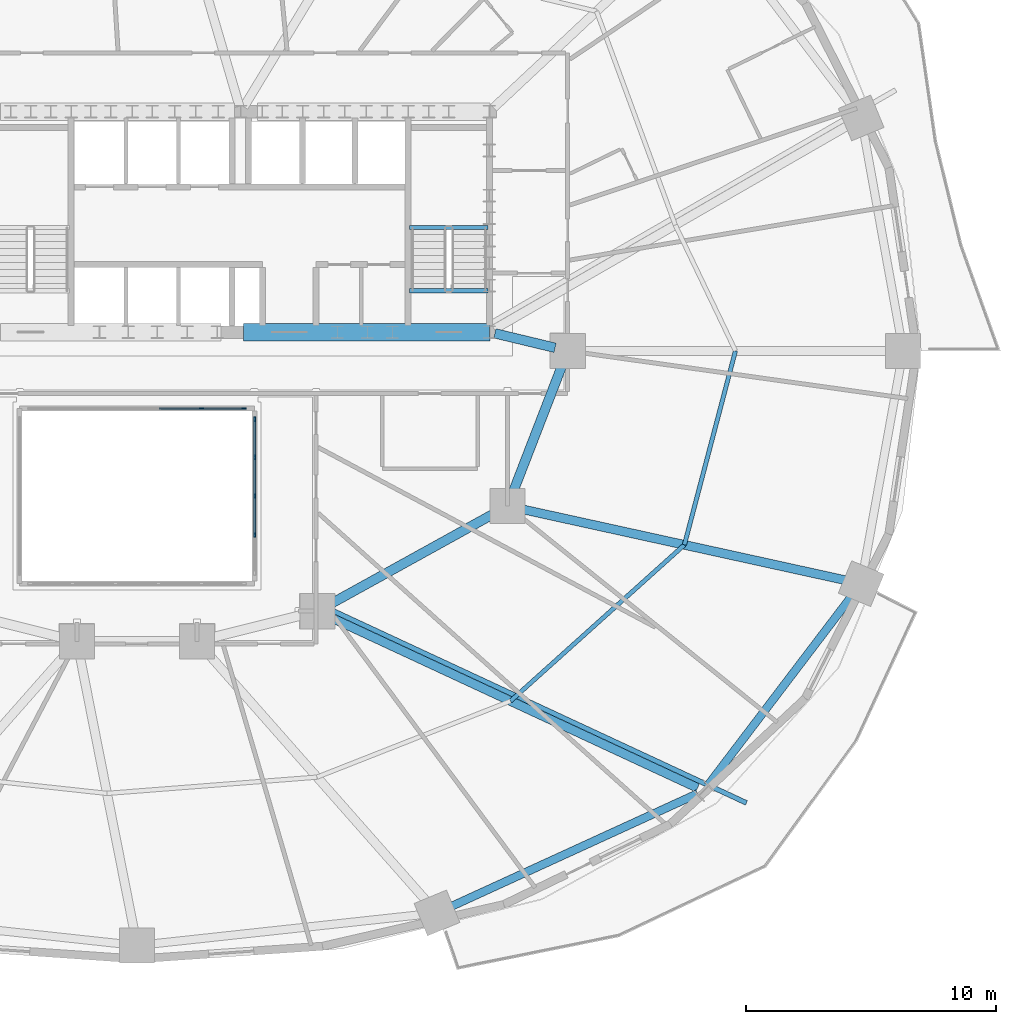
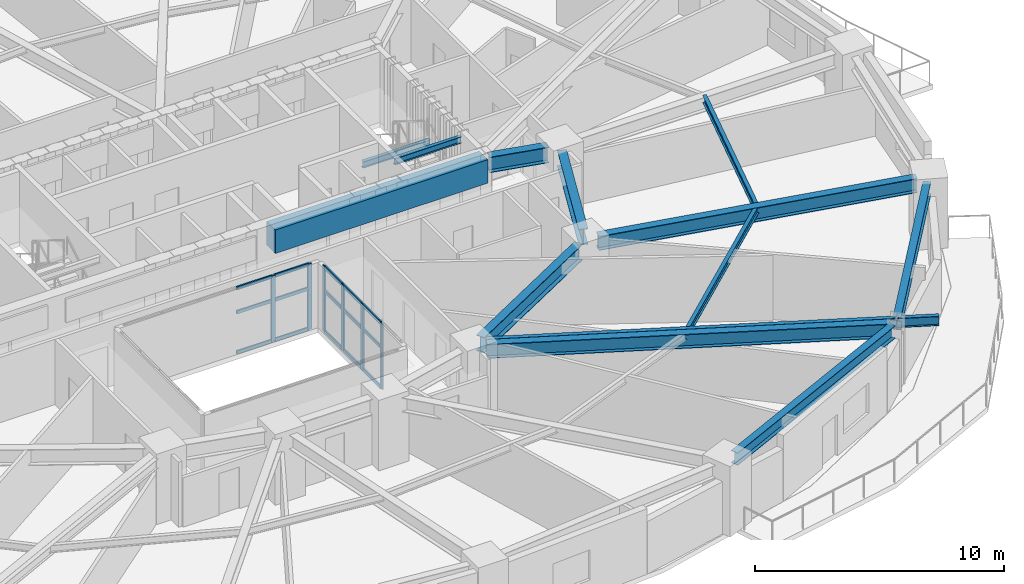
# One storey, part 6 of 17: 21 members, 13 beams, 2 elements without a shape of their own.
"""IFC4 building model written with IfcOpenShell, lengths in metres."""

from ifc_helpers import new_model, si_unit, direction, frame, origin, origin_2d, place, context, subcontext, project, spatial, rectangle, i_section, extrude, material, material_profile, profile_set, type_object, element, aggregate, save


model = new_model("IFC4")

# Units and contexts
model_context = context("Model", 3, precision=1e-05, world=origin(), true_north=direction((0.0, 1.0)))
body_context = subcontext(model_context, "Body", "Model", "MODEL_VIEW")
ifc_project = project(units=[si_unit("LENGTHUNIT", "METRE"), si_unit("AREAUNIT", "SQUARE_METRE"), si_unit("VOLUMEUNIT", "CUBIC_METRE"), si_unit("PLANEANGLEUNIT", "RADIAN"), si_unit("MASSUNIT", "GRAM", prefix="KILO")], contexts=[model_context])

# Site, building, storey
site_placement = place(None, origin())
site = spatial("IfcSite", under=ifc_project, at=site_placement, CompositionType="ELEMENT")
building_placement = place(site_placement, origin())
building = spatial("IfcBuilding", under=site, at=building_placement, Name="Haldorwick Loom Tower", CompositionType="ELEMENT")
storey_placement = place(building_placement, frame((0.0, 0.0, 65.39990234375)))
storey = spatial("IfcBuildingStorey", under=building, at=storey_placement, Name="L17", CompositionType="ELEMENT", Elevation=65.39990234375)

# Curtain wall, members
ifc_material_1 = material(Name="Thermally Broken Anodized Aluminium Curtain Wall Framing", Category="aluminium")
curtain_wall_type = type_object("IfcCurtainWallType", Name="ARC-CW-03", PredefinedType="NOTDEFINED", material=ifc_material_1)
curtain_wall_1_placement = place(storey_placement, origin())
curtain_wall_1 = element("IfcCurtainWall", 1, at=curtain_wall_1_placement, inside=storey, type_object=curtain_wall_type, Name="L17 Atrium Glazed Screen N", PredefinedType="NOTDEFINED")
ifc_material_profile_1 = material_profile(ifc_material_1, rectangle(XDim=0.06591796875, YDim=0.18505859375, at=origin_2d()), Name="ALU_MUL_66X185", Category="aluminium")
ifc_profile_set_1 = profile_set([ifc_material_profile_1], Name="Thermally Broken Anodized Aluminium Curtain Wall Framing")
member_type_1 = type_object("IfcMemberType", Name="ARC-CWM-03", PredefinedType="MULLION", material=ifc_profile_set_1)
member_1_placement = place(storey_placement, frame((38.580078125, 23.699951171875, 0.0), z_axis=(0.0, 0.0, 1.0), x_axis=(0.0, 1.0, 0.0)))
member_1 = element("IfcMember", 2, at=member_1_placement, type_object=member_type_1, Name="CW-03 mullion 5", PredefinedType="MULLION", context=body_context, shape_type="SweptSolid", body=[
    extrude(rectangle(XDim=0.06591796875, YDim=0.18505859375, at=origin_2d()), origin(), (0.0, 0.0, 1.0), 3.210205078125),
])
member_2_placement = place(storey_placement, frame((40.26708984375, 23.699951171875, 0.0), z_axis=(0.0, 0.0, 1.0), x_axis=(0.0, 1.0, 0.0)))
member_2 = element("IfcMember", 3, at=member_2_placement, type_object=member_type_1, Name="CW-03 mullion 6", PredefinedType="MULLION", context=body_context, shape_type="SweptSolid", body=[
    extrude(rectangle(XDim=0.06591796875, YDim=0.18505859375, at=origin_2d()), origin(), (0.0, 0.0, 1.0), 3.210205078125),
])

curtain_wall_2_placement = place(storey_placement, origin())
curtain_wall_2 = element("IfcCurtainWall", 4, at=curtain_wall_2_placement, inside=storey, type_object=curtain_wall_type, Name="L17 Atrium Glazed Screen E", PredefinedType="NOTDEFINED")
member_3_placement = place(storey_placement, frame((40.699951171875, 23.26708984375, 0.0), z_axis=(0.0, 0.0, 1.0), x_axis=(1.0, 0.0, 0.0)))
member_3 = element("IfcMember", 5, at=member_3_placement, type_object=member_type_1, Name="CW-03 mullion 1", PredefinedType="MULLION", context=body_context, shape_type="SweptSolid", body=[
    extrude(rectangle(XDim=0.06591796875, YDim=0.18505859375, at=origin_2d()), origin(), (0.0, 0.0, 1.0), 3.210205078125),
])
member_4_placement = place(storey_placement, frame((40.699951171875, 21.75, 0.0), z_axis=(0.0, 0.0, 1.0), x_axis=(1.0, 0.0, 0.0)))
member_4 = element("IfcMember", 6, at=member_4_placement, type_object=member_type_1, Name="CW-03 mullion 2", PredefinedType="MULLION", context=body_context, shape_type="SweptSolid", body=[
    extrude(rectangle(XDim=0.06591796875, YDim=0.18505859375, at=origin_2d()), origin(), (0.0, 0.0, 1.0), 3.210205078125),
])
member_5_placement = place(storey_placement, frame((40.699951171875, 20.199951171875, 0.0), z_axis=(0.0, 0.0, 1.0), x_axis=(1.0, 0.0, 0.0)))
member_5 = element("IfcMember", 7, at=member_5_placement, type_object=member_type_1, Name="CW-03 mullion 3", PredefinedType="MULLION", context=body_context, shape_type="SweptSolid", body=[
    extrude(rectangle(XDim=0.06591796875, YDim=0.18505859375, at=origin_2d()), origin(), (0.0, 0.0, 1.0), 3.210205078125),
])
member_6_placement = place(storey_placement, frame((40.699951171875, 18.64990234375, 0.0), z_axis=(0.0, 0.0, 1.0), x_axis=(1.0, 0.0, 0.0)))
member_6 = element("IfcMember", 8, at=member_6_placement, type_object=member_type_1, Name="CW-03 mullion 4", PredefinedType="MULLION", context=body_context, shape_type="SweptSolid", body=[
    extrude(rectangle(XDim=0.06591796875, YDim=0.18505859375, at=origin_2d()), origin(), (0.0, 0.0, 1.0), 3.210205078125),
])

# Member
ifc_material_profile_2 = material_profile(ifc_material_1, rectangle(XDim=0.06591796875, YDim=0.1650390625, at=origin_2d()), Name="ALU_TRN_66X165", Category="aluminium")
ifc_profile_set_2 = profile_set([ifc_material_profile_2], Name="Thermally Broken Anodized Aluminium Curtain Wall Framing")
member_type_2 = type_object("IfcMemberType", Name="ARC-CWT-03", PredefinedType="USERDEFINED", material=ifc_profile_set_2)
member_7_placement = place(storey_placement, frame((36.89306640625, 23.699951171875, 0.033203125), z_axis=(1.0, 0.0, 0.0), x_axis=(0.0, 1.0, 0.0)))
member_7 = element("IfcMember", 9, at=member_7_placement, type_object=member_type_2, Name="CW-03 transom 4.1", ObjectType="TRANSOM", PredefinedType="USERDEFINED", context=body_context, shape_type="SweptSolid", body=[
    extrude(rectangle(XDim=0.06591796875, YDim=0.1650390625, at=origin_2d()), origin(), (0.0, 0.0, 1.0), 1.654052734375),
])

member_8_placement = place(storey_placement, frame((36.89306640625, 23.699951171875, 2.0), z_axis=(1.0, 0.0, 0.0), x_axis=(0.0, 1.0, 0.0)))
member_8 = element("IfcMember", 10, at=member_8_placement, type_object=member_type_2, Name="CW-03 transom 4.2", ObjectType="TRANSOM", PredefinedType="USERDEFINED", context=body_context, shape_type="SweptSolid", body=[
    extrude(rectangle(XDim=0.06591796875, YDim=0.1650390625, at=origin_2d()), origin(), (0.0, 0.0, 1.0), 1.654052734375),
])

member_9_placement = place(storey_placement, frame((36.89306640625, 23.699951171875, 3.177001953125), z_axis=(1.0, 0.0, 0.0), x_axis=(0.0, 1.0, 0.0)))
member_9 = element("IfcMember", 11, at=member_9_placement, type_object=member_type_2, Name="CW-03 transom 4.3", ObjectType="TRANSOM", PredefinedType="USERDEFINED", context=body_context, shape_type="SweptSolid", body=[
    extrude(rectangle(XDim=0.06591796875, YDim=0.1650390625, at=origin_2d()), origin(), (0.0, 0.0, 1.0), 1.654052734375),
])

member_10_placement = place(storey_placement, frame((38.613037109375, 23.699951171875, 0.033203125), z_axis=(1.0, 0.0, 0.0), x_axis=(0.0, 1.0, 0.0)))
member_10 = element("IfcMember", 12, at=member_10_placement, type_object=member_type_2, Name="CW-03 transom 5.1", ObjectType="TRANSOM", PredefinedType="USERDEFINED", context=body_context, shape_type="SweptSolid", body=[
    extrude(rectangle(XDim=0.06591796875, YDim=0.1650390625, at=origin_2d()), origin(), (0.0, 0.0, 1.0), 1.620849609375),
])

member_11_placement = place(storey_placement, frame((38.613037109375, 23.699951171875, 2.0), z_axis=(1.0, 0.0, 0.0), x_axis=(0.0, 1.0, 0.0)))
member_11 = element("IfcMember", 13, at=member_11_placement, type_object=member_type_2, Name="CW-03 transom 5.2", ObjectType="TRANSOM", PredefinedType="USERDEFINED", context=body_context, shape_type="SweptSolid", body=[
    extrude(rectangle(XDim=0.06591796875, YDim=0.1650390625, at=origin_2d()), origin(), (0.0, 0.0, 1.0), 1.620849609375),
])

member_12_placement = place(storey_placement, frame((38.613037109375, 23.699951171875, 3.177001953125), z_axis=(1.0, 0.0, 0.0), x_axis=(0.0, 1.0, 0.0)))
member_12 = element("IfcMember", 14, at=member_12_placement, type_object=member_type_2, Name="CW-03 transom 5.3", ObjectType="TRANSOM", PredefinedType="USERDEFINED", context=body_context, shape_type="SweptSolid", body=[
    extrude(rectangle(XDim=0.06591796875, YDim=0.1650390625, at=origin_2d()), origin(), (0.0, 0.0, 1.0), 1.620849609375),
])

aggregate(curtain_wall_1, [member_1, member_2, member_7, member_8, member_9, member_10, member_11, member_12])

member_13_placement = place(storey_placement, frame((40.699951171875, 23.23388671875, 0.033203125), z_axis=(0.0, -1.0, 0.0), x_axis=(1.0, 0.0, 0.0)))
member_13 = element("IfcMember", 15, at=member_13_placement, type_object=member_type_2, Name="CW-03 transom 1.1", ObjectType="TRANSOM", PredefinedType="USERDEFINED", context=body_context, shape_type="SweptSolid", body=[
    extrude(rectangle(XDim=0.06591796875, YDim=0.1650390625, at=origin_2d()), origin(), (0.0, 0.0, 1.0), 1.450927734375),
])

member_14_placement = place(storey_placement, frame((40.699951171875, 23.23388671875, 2.0), z_axis=(0.0, -1.0, 0.0), x_axis=(1.0, 0.0, 0.0)))
member_14 = element("IfcMember", 16, at=member_14_placement, type_object=member_type_2, Name="CW-03 transom 1.2", ObjectType="TRANSOM", PredefinedType="USERDEFINED", context=body_context, shape_type="SweptSolid", body=[
    extrude(rectangle(XDim=0.06591796875, YDim=0.1650390625, at=origin_2d()), origin(), (0.0, 0.0, 1.0), 1.450927734375),
])

member_15_placement = place(storey_placement, frame((40.699951171875, 23.23388671875, 3.177001953125), z_axis=(0.0, -1.0, 0.0), x_axis=(1.0, 0.0, 0.0)))
member_15 = element("IfcMember", 17, at=member_15_placement, type_object=member_type_2, Name="CW-03 transom 1.3", ObjectType="TRANSOM", PredefinedType="USERDEFINED", context=body_context, shape_type="SweptSolid", body=[
    extrude(rectangle(XDim=0.06591796875, YDim=0.1650390625, at=origin_2d()), origin(), (0.0, 0.0, 1.0), 1.450927734375),
])

member_16_placement = place(storey_placement, frame((40.699951171875, 21.717041015625, 0.033203125), z_axis=(0.0, -1.0, 0.0), x_axis=(1.0, 0.0, 0.0)))
member_16 = element("IfcMember", 18, at=member_16_placement, type_object=member_type_2, Name="CW-03 transom 2.1", ObjectType="TRANSOM", PredefinedType="USERDEFINED", context=body_context, shape_type="SweptSolid", body=[
    extrude(rectangle(XDim=0.06591796875, YDim=0.1650390625, at=origin_2d()), origin(), (0.0, 0.0, 1.0), 1.484130859375),
])

member_17_placement = place(storey_placement, frame((40.699951171875, 21.717041015625, 2.0), z_axis=(0.0, -1.0, 0.0), x_axis=(1.0, 0.0, 0.0)))
member_17 = element("IfcMember", 19, at=member_17_placement, type_object=member_type_2, Name="CW-03 transom 2.2", ObjectType="TRANSOM", PredefinedType="USERDEFINED", context=body_context, shape_type="SweptSolid", body=[
    extrude(rectangle(XDim=0.06591796875, YDim=0.1650390625, at=origin_2d()), origin(), (0.0, 0.0, 1.0), 1.484130859375),
])

member_18_placement = place(storey_placement, frame((40.699951171875, 21.717041015625, 3.177001953125), z_axis=(0.0, -1.0, 0.0), x_axis=(1.0, 0.0, 0.0)))
member_18 = element("IfcMember", 20, at=member_18_placement, type_object=member_type_2, Name="CW-03 transom 2.3", ObjectType="TRANSOM", PredefinedType="USERDEFINED", context=body_context, shape_type="SweptSolid", body=[
    extrude(rectangle(XDim=0.06591796875, YDim=0.1650390625, at=origin_2d()), origin(), (0.0, 0.0, 1.0), 1.484130859375),
])

member_19_placement = place(storey_placement, frame((40.699951171875, 20.1669921875, 0.033203125), z_axis=(0.0, -1.0, 0.0), x_axis=(1.0, 0.0, 0.0)))
member_19 = element("IfcMember", 21, at=member_19_placement, type_object=member_type_2, Name="CW-03 transom 3.1", ObjectType="TRANSOM", PredefinedType="USERDEFINED", context=body_context, shape_type="SweptSolid", body=[
    extrude(rectangle(XDim=0.06591796875, YDim=0.1650390625, at=origin_2d()), origin(), (0.0, 0.0, 1.0), 1.48388671875),
])

member_20_placement = place(storey_placement, frame((40.699951171875, 20.1669921875, 2.0), z_axis=(0.0, -1.0, 0.0), x_axis=(1.0, 0.0, 0.0)))
member_20 = element("IfcMember", 22, at=member_20_placement, type_object=member_type_2, Name="CW-03 transom 3.2", ObjectType="TRANSOM", PredefinedType="USERDEFINED", context=body_context, shape_type="SweptSolid", body=[
    extrude(rectangle(XDim=0.06591796875, YDim=0.1650390625, at=origin_2d()), origin(), (0.0, 0.0, 1.0), 1.48388671875),
])

member_21_placement = place(storey_placement, frame((40.699951171875, 20.1669921875, 3.177001953125), z_axis=(0.0, -1.0, 0.0), x_axis=(1.0, 0.0, 0.0)))
member_21 = element("IfcMember", 23, at=member_21_placement, type_object=member_type_2, Name="CW-03 transom 3.3", ObjectType="TRANSOM", PredefinedType="USERDEFINED", context=body_context, shape_type="SweptSolid", body=[
    extrude(rectangle(XDim=0.06591796875, YDim=0.1650390625, at=origin_2d()), origin(), (0.0, 0.0, 1.0), 1.48388671875),
])

aggregate(curtain_wall_2, [member_3, member_4, member_5, member_6, member_13, member_14, member_15, member_16, member_17, member_18, member_19, member_20, member_21])

# Beams
ifc_material_2 = material(Name="Steel CSA G40.21 350W", Category="steel")
ifc_material_profile_3 = material_profile(ifc_material_2, i_section(OverallWidth=0.193115234375, OverallDepth=0.466064453125, WebThickness=0.011474609375, FlangeThickness=0.01904296875, at=origin_2d()), Name="W460X97", Category="steel")
ifc_profile_set_3 = profile_set([ifc_material_profile_3], Name="Steel CSA G40.21 350W")
beam_type_1 = type_object("IfcBeamType", Name="STR-BM-BAL460", PredefinedType="BEAM", material=ifc_profile_set_3)
beam_1_placement = place(storey_placement, frame((43.78955078125, 15.634765625, 2.97705078125), z_axis=(0.906835669686, -0.42148436292, 0.0), x_axis=(0.42148436292, 0.906835669686, 0.0)))
element("IfcBeam", 24, at=beam_1_placement, inside=storey, type_object=beam_type_1, Name="L17 Continuous Back-Spanned Balcony Beam 1", PredefinedType="BEAM", context=body_context, shape_type="SweptSolid", body=[
    extrude(i_section(OverallWidth=0.193115234375, OverallDepth=0.466064453125, WebThickness=0.011474609375, FlangeThickness=0.01904296875, at=origin_2d()), origin(), (0.0, 0.0, 1.0), 18.245361328125),
])
ifc_material_3 = material(Name="Concrete C60 (60 MPa)", Category="concrete")
ifc_material_profile_4 = material_profile(ifc_material_3, rectangle(XDim=0.699951171875, YDim=1.14990234375, at=origin_2d()), Name="RC700X1150", Category="concrete")
ifc_profile_set_4 = profile_set([ifc_material_profile_4], Name="Concrete C60 (60 MPa)")
beam_type_2 = type_object("IfcBeamType", Name="STR-BM-CB1150", PredefinedType="LINTEL", material=ifc_profile_set_4)
beam_2_placement = place(storey_placement, frame((40.25, 26.75, 2.635009765625), z_axis=(1.0, 0.0, 0.0), x_axis=(0.0, 1.0, 0.0)))
element("IfcBeam", 25, at=beam_2_placement, inside=storey, type_object=beam_type_2, Name="L17 Core Coupling Beam CB-S3", PredefinedType="LINTEL", context=body_context, shape_type="SweptSolid", body=[
    extrude(rectangle(XDim=0.699951171875, YDim=1.14990234375, at=origin_2d()), origin(), (0.0, 0.0, 1.0), 9.85009765625),
])
ifc_material_profile_5 = material_profile(ifc_material_2, i_section(OverallWidth=0.172119140625, OverallDepth=0.35791015625, WebThickness=0.0078125, FlangeThickness=0.01318359375, at=origin_2d()), Name="W360X57", Category="steel")
ifc_profile_set_5 = profile_set([ifc_material_profile_5], Name="Steel CSA G40.21 350W")
beam_type_3 = type_object("IfcBeamType", Name="STR-BM-J360", PredefinedType="JOIST", material=ifc_profile_set_5)
beam_3_placement = place(storey_placement, frame((50.9150390625, 12.01416015625, 3.031005859375), z_axis=(0.743981830112, 0.668199847698, 0.0), x_axis=(-0.668199847698, 0.743981830112, 0.0)))
element("IfcBeam", 26, at=beam_3_placement, inside=storey, type_object=beam_type_3, Name="L17 Mid-Bay Secondary Joist 15", PredefinedType="JOIST", context=body_context, shape_type="SweptSolid", body=[
    extrude(i_section(OverallWidth=0.172119140625, OverallDepth=0.35791015625, WebThickness=0.0078125, FlangeThickness=0.01318359375, at=origin_2d()), origin(), (0.0, 0.0, 1.0), 9.3330078125),
])
beam_4_placement = place(storey_placement, frame((57.858642578125, 18.25048828125, 3.031005859375), z_axis=(0.2544888003, 0.967075721193, 0.0), x_axis=(-0.967075721193, 0.2544888003, 0.0)))
element("IfcBeam", 27, at=beam_4_placement, inside=storey, type_object=beam_type_3, Name="L17 Mid-Bay Secondary Joist 16", PredefinedType="JOIST", context=body_context, shape_type="SweptSolid", body=[
    extrude(i_section(OverallWidth=0.172119140625, OverallDepth=0.35791015625, WebThickness=0.0078125, FlangeThickness=0.01318359375, at=origin_2d()), origin(), (0.0, 0.0, 1.0), 8.013427734375),
])
ifc_material_profile_6 = material_profile(ifc_material_2, i_section(OverallWidth=0.324951171875, OverallDepth=0.615966796875, WebThickness=0.013916015625, FlangeThickness=0.021484375, at=origin_2d()), Name="W610X174", Category="steel")
ifc_profile_set_6 = profile_set([ifc_material_profile_6], Name="Steel CSA G40.21 350W")
beam_type_4 = type_object("IfcBeamType", Name="STR-BM-SP610", PredefinedType="SPANDREL", material=ifc_profile_set_6)
beam_5_placement = place(storey_placement, frame((48.45068359375, 3.76611328125, 2.902099609375), z_axis=(0.909173805321, 0.416416848504, 0.0), x_axis=(-0.416416848504, 0.909173805321, 0.0)))
element("IfcBeam", 28, at=beam_5_placement, inside=storey, type_object=beam_type_4, Name="L17 Perimeter Spandrel 14", PredefinedType="SPANDREL", context=body_context, shape_type="SweptSolid", body=[
    extrude(i_section(OverallWidth=0.324951171875, OverallDepth=0.615966796875, WebThickness=0.013916015625, FlangeThickness=0.021484375, at=origin_2d()), origin(), (0.0, 0.0, 1.0), 10.92138671875),
])
beam_6_placement = place(storey_placement, frame((58.796630859375, 8.647216796875, 2.902099609375), z_axis=(0.605084557744, 0.796161213562, 0.0), x_axis=(-0.796161213562, 0.605084557744, 0.0)))
element("IfcBeam", 29, at=beam_6_placement, inside=storey, type_object=beam_type_4, Name="L17 Perimeter Spandrel 15", PredefinedType="SPANDREL", context=body_context, shape_type="SweptSolid", body=[
    extrude(i_section(OverallWidth=0.324951171875, OverallDepth=0.615966796875, WebThickness=0.013916015625, FlangeThickness=0.021484375, at=origin_2d()), origin(), (0.0, 0.0, 1.0), 9.595703125),
])
ifc_material_profile_7 = material_profile(ifc_material_2, i_section(OverallWidth=0.166015625, OverallDepth=0.31298828125, WebThickness=0.006591796875, FlangeThickness=0.01123046875, at=origin_2d()), Name="W310X45", Category="steel")
ifc_profile_set_7 = profile_set([ifc_material_profile_7], Name="Steel CSA G40.21 350W")
beam_type_5 = type_object("IfcBeamType", Name="STR-BM-STRM", PredefinedType="BEAM", material=ifc_profile_set_7)
for number, where, z_axis, x_axis, name in (
    (30, (46.889892578125, 28.39990234375, 3.0537109375), (1.0, 0.0, 0.0), (0.0, 1.0, 0.0), "L17 Stair ST-02 Landing Edge Trimmer"),
    (31, (46.889892578125, 30.919921875, 1.36865234375), (1.0, 0.0, 0.0), (0.0, 1.0, 0.0), "L17 Stair ST-02 Half-Landing Trimmer 1"),
):
    element("IfcBeam", number, at=place(storey_placement, frame(where, z_axis=z_axis, x_axis=x_axis)), inside=storey, type_object=beam_type_5, Name=name, PredefinedType="BEAM", context=body_context, shape_type="SweptSolid", body=[
        extrude(i_section(OverallWidth=0.166015625, OverallDepth=0.31298828125, WebThickness=0.006591796875, FlangeThickness=0.01123046875, at=origin_2d()), origin(), (0.0, 0.0, 1.0), 3.1201171875),
    ])
ifc_material_profile_8 = material_profile(ifc_material_2, i_section(OverallWidth=0.35498046875, OverallDepth=0.695068359375, WebThickness=0.015380859375, FlangeThickness=0.02490234375, at=origin_2d()), Name="W690X217", Category="steel")
ifc_profile_set_8 = profile_set([ifc_material_profile_8], Name="Steel CSA G40.21 350W")
beam_type_6 = type_object("IfcBeamType", Name="STR-BM-W690", PredefinedType="BEAM", material=ifc_profile_set_8)
beam_7_placement = place(storey_placement, frame((43.671630859375, 15.380859375, 2.862548828125), z_axis=(0.90683498532, -0.421485835349, 0.0), x_axis=(0.421485835349, 0.90683498532, 0.0)))
element("IfcBeam", 32, at=beam_7_placement, inside=storey, type_object=beam_type_6, Name="L17 Radial Floor Girder 15", PredefinedType="BEAM", context=body_context, shape_type="SweptSolid", body=[
    extrude(i_section(OverallWidth=0.35498046875, OverallDepth=0.695068359375, WebThickness=0.015380859375, FlangeThickness=0.02490234375, at=origin_2d()), origin(), (0.0, 0.0, 1.0), 16.220458984375),
])
beam_8_placement = place(storey_placement, frame((51.307861328125, 19.6884765625, 2.862548828125), z_axis=(0.976740159434, -0.214426353203, 0.0), x_axis=(0.214426353203, 0.976740159434, 0.0)))
element("IfcBeam", 33, at=beam_8_placement, inside=storey, type_object=beam_type_6, Name="L17 Radial Floor Girder 16", PredefinedType="BEAM", context=body_context, shape_type="SweptSolid", body=[
    extrude(i_section(OverallWidth=0.35498046875, OverallDepth=0.695068359375, WebThickness=0.015380859375, FlangeThickness=0.02490234375, at=origin_2d()), origin(), (0.0, 0.0, 1.0), 13.41357421875),
])
ifc_material_profile_9 = material_profile(ifc_material_2, i_section(OverallWidth=0.381103515625, OverallDepth=0.77294921875, WebThickness=0.0166015625, FlangeThickness=0.027587890625, at=origin_2d()), Name="W760X257", Category="steel")
ifc_profile_set_9 = profile_set([ifc_material_profile_9], Name="Steel CSA G40.21 350W")
beam_type_7 = type_object("IfcBeamType", Name="STR-BM-W760", PredefinedType="BEAM", material=ifc_profile_set_9)
beam_9_placement = place(storey_placement, frame((50.288818359375, 26.697509765625, 2.823486328125), z_axis=(0.97247055837, -0.233025777764, 0.0), x_axis=(0.233025777764, 0.97247055837, 0.0)))
element("IfcBeam", 34, at=beam_9_placement, inside=storey, type_object=beam_type_7, Name="L17 Inner Ring Girder 1", PredefinedType="BEAM", context=body_context, shape_type="SweptSolid", body=[
    extrude(i_section(OverallWidth=0.381103515625, OverallDepth=0.77294921875, WebThickness=0.0166015625, FlangeThickness=0.027587890625, at=origin_2d()), origin(), (0.0, 0.0, 1.0), 2.4736328125),
])
beam_10_placement = place(storey_placement, frame((53.01220703125, 25.51513671875, 2.823486328125), z_axis=(-0.360964792353, -0.93257944363, 0.0), x_axis=(0.93257944363, -0.360964792353, 0.0)))
element("IfcBeam", 35, at=beam_10_placement, inside=storey, type_object=beam_type_7, Name="L17 Inner Ring Girder 2", PredefinedType="BEAM", context=body_context, shape_type="SweptSolid", body=[
    extrude(i_section(OverallWidth=0.381103515625, OverallDepth=0.77294921875, WebThickness=0.0166015625, FlangeThickness=0.027587890625, at=origin_2d()), origin(), (0.0, 0.0, 1.0), 5.6083984375),
])
beam_11_placement = place(storey_placement, frame((50.344970703125, 19.548583984375, 2.823486328125), z_axis=(-0.875244382146, -0.483680960471, 0.0), x_axis=(0.483680960471, -0.875244382146, 0.0)))
element("IfcBeam", 36, at=beam_11_placement, inside=storey, type_object=beam_type_7, Name="L17 Inner Ring Girder 3", PredefinedType="BEAM", context=body_context, shape_type="SweptSolid", body=[
    extrude(i_section(OverallWidth=0.381103515625, OverallDepth=0.77294921875, WebThickness=0.0166015625, FlangeThickness=0.027587890625, at=origin_2d()), origin(), (0.0, 0.0, 1.0), 7.6435546875),
])

save(model, "model.ifc")
